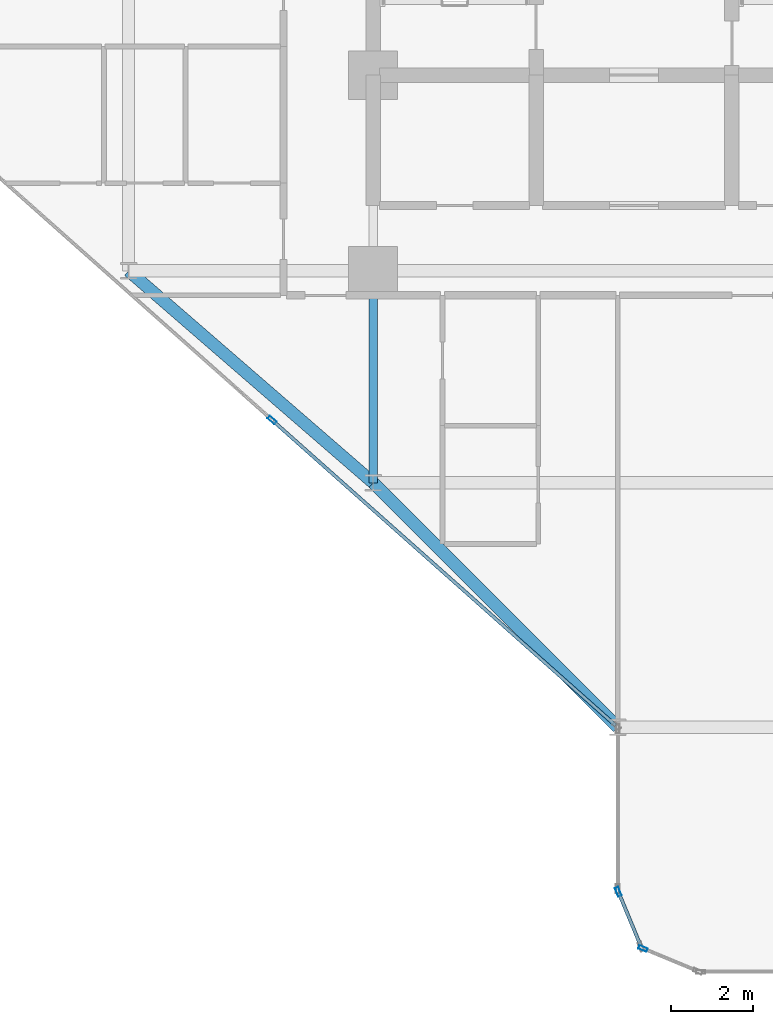
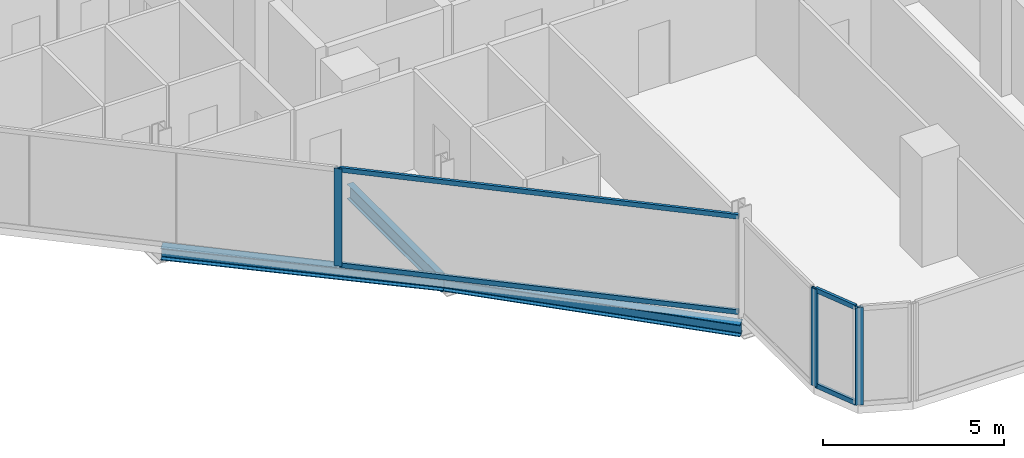
# One storey, part 3 of 33: 7 members, 3 beams, 3 elements without a shape of their own.
"""IFC4 building model written with IfcOpenShell, lengths in metres."""

from ifc_helpers import new_model, si_unit, direction, frame, origin, origin_2d, place, context, subcontext, project, spatial, hollow_rectangle, i_section, extrude, material, layer, layer_set, material_profile, profile_set, type_object, element, aggregate, save


model = new_model("IFC4")

# Units and contexts
model_context = context("Model", 3, precision=1e-05, world=origin(), true_north=direction((0.0, 1.0)))
body_context = subcontext(model_context, "Body", "Model", "MODEL_VIEW")
ifc_project = project(units=[si_unit("LENGTHUNIT", "METRE"), si_unit("AREAUNIT", "SQUARE_METRE"), si_unit("VOLUMEUNIT", "CUBIC_METRE"), si_unit("PLANEANGLEUNIT", "RADIAN"), si_unit("MASSUNIT", "GRAM", prefix="KILO")], contexts=[model_context])

# Site, building, storey
site_placement = place(None, origin())
site = spatial("IfcSite", under=ifc_project, at=site_placement, CompositionType="ELEMENT")
building_placement = place(site_placement, origin())
building = spatial("IfcBuilding", under=site, at=building_placement, Name="Keshet Zoharim Tower", CompositionType="ELEMENT")
storey_placement = place(building_placement, frame((0.0, 0.0, 57.300048828125)))
storey = spatial("IfcBuildingStorey", under=building, at=storey_placement, Name="L13", CompositionType="ELEMENT", Elevation=57.300048828125)

# Beams
ifc_material_1 = material(Name="Steel S355", Category="steel")
ifc_material_profile_1 = material_profile(ifc_material_1, i_section(OverallWidth=0.199951171875, OverallDepth=0.5, WebThickness=0.01025390625, FlangeThickness=0.01611328125, FilletRadius=0.02099609375, at=origin_2d()), Name="IPE500")
ifc_profile_set_1 = profile_set([ifc_material_profile_1], Name="Steel S355")
beam_type_1 = type_object("IfcBeamType", Name="BM-PRI-IP500", PredefinedType="BEAM", material=ifc_profile_set_1)
beam_1_placement = place(storey_placement, frame((15.0, 12.699951171875, -0.56494140625), z_axis=(0.0, 1.0, 0.0), x_axis=(-1.0, 0.0, 0.0)))
element("IfcBeam", 1, at=beam_1_placement, inside=storey, type_object=beam_type_1, Name="L13 Primary Girder Y-002", PredefinedType="BEAM", context=body_context, shape_type="SweptSolid", body=[
    extrude(i_section(OverallWidth=0.199951171875, OverallDepth=0.5, WebThickness=0.01025390625, FlangeThickness=0.01611328125, FilletRadius=0.02099609375, at=origin_2d()), origin(), (0.0, 0.0, 1.0), 5.199951171875),
])
ifc_material_profile_2 = material_profile(ifc_material_1, i_section(OverallWidth=0.300048828125, OverallDepth=0.39990234375, WebThickness=0.013427734375, FlangeThickness=0.02392578125, FilletRadius=0.027099609375, at=origin_2d()), Name="HEB400")
ifc_profile_set_2 = profile_set([ifc_material_profile_2], Name="Steel S355")
beam_type_2 = type_object("IfcBeamType", Name="BM-SPN-HB400", PredefinedType="SPANDREL", material=ifc_profile_set_2)
beam_2_placement = place(storey_placement, frame((21.0, 6.699951171875, -0.51513671875), z_axis=(-0.707106781187, 0.707106781187, 0.0), x_axis=(-0.707106781187, -0.707106781187, 0.0)))
element("IfcBeam", 2, at=beam_2_placement, inside=storey, type_object=beam_type_2, Name="L13 Perimeter Spandrel Beam 01", PredefinedType="SPANDREL", context=body_context, shape_type="SweptSolid", body=[
    extrude(i_section(OverallWidth=0.300048828125, OverallDepth=0.39990234375, WebThickness=0.013427734375, FlangeThickness=0.02392578125, FilletRadius=0.027099609375, at=origin_2d()), origin(), (0.0, 0.0, 1.0), 8.4853515625),
])
beam_3_placement = place(storey_placement, frame((9.0, 17.89990234375, -0.51513671875), z_axis=(0.755692126483, -0.654927026447, 0.0), x_axis=(0.654927026447, 0.755692126483, 0.0)))
element("IfcBeam", 3, at=beam_3_placement, inside=storey, type_object=beam_type_2, Name="L13 Perimeter Spandrel Beam 02", PredefinedType="SPANDREL", context=body_context, shape_type="SweptSolid", body=[
    extrude(i_section(OverallWidth=0.300048828125, OverallDepth=0.39990234375, WebThickness=0.013427734375, FlangeThickness=0.02392578125, FilletRadius=0.027099609375, at=origin_2d()), origin(), (0.0, 0.0, 1.0), 7.939697265625),
])

# Curtain wall, member
ifc_material_2 = material(Name="Aluminium 6063-T6", Category="aluminium")
ifc_layer = layer(ifc_material_2, 0.179931640625)
ifc_layer_set = layer_set([ifc_layer], Name="Aluminium 6063-T6")
curtain_wall_type = type_object("IfcCurtainWallType", Name="CW-SYS-01", PredefinedType="NOTDEFINED", material=ifc_layer_set)
curtain_wall_1_placement = place(storey_placement, origin())
curtain_wall_1 = element("IfcCurtainWall", 4, at=curtain_wall_1_placement, inside=storey, type_object=curtain_wall_type, Name="L13 Unitised Curtain Wall 01", PredefinedType="NOTDEFINED")
ifc_material_profile_3 = material_profile(ifc_material_2, hollow_rectangle(XDim=0.090087890625, YDim=0.219970703125, WallThickness=0.0048828125, at=origin_2d()), Name="MUL-90x220")
ifc_profile_set_3 = profile_set([ifc_material_profile_3], Name="Aluminium 6063-T6")
member_type_1 = type_object("IfcMemberType", Name="CWM-M22", PredefinedType="MULLION", material=ifc_profile_set_3)
member_1_placement = place(storey_placement, frame((12.517578125, 14.239990234375, 0.0), z_axis=(0.0, 0.0, 1.0), x_axis=(-0.664363838836, -0.747409318679, 0.0)))
member_1 = element("IfcMember", 5, at=member_1_placement, type_object=member_type_1, Name="CW-01 mullion 2", PredefinedType="MULLION", context=body_context, shape_type="SweptSolid", body=[
    extrude(hollow_rectangle(XDim=0.090087890625, YDim=0.219970703125, WallThickness=0.0048828125, at=origin_2d()), origin(), (0.0, 0.0, 1.0), 3.280029296875),
])

curtain_wall_2_placement = place(storey_placement, origin())
curtain_wall_2 = element("IfcCurtainWall", 6, at=curtain_wall_2_placement, inside=storey, type_object=curtain_wall_type, Name="L13 Unitised Curtain Wall 27", PredefinedType="NOTDEFINED")
member_2_placement = place(storey_placement, frame((21.618408203125, 1.272705078125, 0.0), z_axis=(0.0, 0.0, 1.0), x_axis=(-0.382851849847, -0.92380975372, 0.0)))
member_2 = element("IfcMember", 7, at=member_2_placement, type_object=member_type_1, Name="CW-01 mullion 2", PredefinedType="MULLION", context=body_context, shape_type="SweptSolid", body=[
    extrude(hollow_rectangle(XDim=0.090087890625, YDim=0.219970703125, WallThickness=0.0048828125, at=origin_2d()), origin(), (0.0, 0.0, 1.0), 3.280029296875),
])
aggregate(curtain_wall_2, [member_2])

curtain_wall_3_placement = place(storey_placement, origin())
curtain_wall_3 = element("IfcCurtainWall", 8, at=curtain_wall_3_placement, inside=storey, type_object=curtain_wall_type, Name="L13 Unitised Curtain Wall 28", PredefinedType="NOTDEFINED")
member_3_placement = place(storey_placement, frame((21.013427734375, 2.667724609375, 0.0), z_axis=(0.0, 0.0, 1.0), x_axis=(-0.92380975372, -0.382851849847, 0.0)))
member_3 = element("IfcMember", 9, at=member_3_placement, type_object=member_type_1, Name="CW-01 mullion 2", PredefinedType="MULLION", context=body_context, shape_type="SweptSolid", body=[
    extrude(hollow_rectangle(XDim=0.090087890625, YDim=0.219970703125, WallThickness=0.0048828125, at=origin_2d()), origin(), (0.0, 0.0, 1.0), 3.280029296875),
])

# Member
ifc_material_profile_4 = material_profile(ifc_material_2, hollow_rectangle(XDim=0.0849609375, YDim=0.159912109375, WallThickness=0.00439453125, at=origin_2d()), Name="TRN-85x160")
ifc_profile_set_4 = profile_set([ifc_material_profile_4], Name="Aluminium 6063-T6")
member_type_2 = type_object("IfcMemberType", Name="CWT-T16", PredefinedType="USERDEFINED", material=ifc_profile_set_4)
member_4_placement = place(storey_placement, frame((20.94775390625, 6.74658203125, 0.034912109375), z_axis=(-0.747411714548, 0.664361143472, 0.0), x_axis=(-0.664361143472, -0.747411714548, 0.0)))
member_4 = element("IfcMember", 10, at=member_4_placement, type_object=member_type_2, Name="CW-01 transom 1.1", ObjectType="TRANSOM", PredefinedType="USERDEFINED", context=body_context, shape_type="SweptSolid", body=[
    extrude(hollow_rectangle(XDim=0.0849609375, YDim=0.159912109375, WallThickness=0.00439453125, at=origin_2d()), origin(), (0.0, 0.0, 1.0), 11.244140625),
])

member_5_placement = place(storey_placement, frame((20.94775390625, 6.74658203125, 3.244873046875), z_axis=(-0.747411714548, 0.664361143472, 0.0), x_axis=(-0.664361143472, -0.747411714548, 0.0)))
member_5 = element("IfcMember", 11, at=member_5_placement, type_object=member_type_2, Name="CW-01 transom 1.2", ObjectType="TRANSOM", PredefinedType="USERDEFINED", context=body_context, shape_type="SweptSolid", body=[
    extrude(hollow_rectangle(XDim=0.0849609375, YDim=0.159912109375, WallThickness=0.00439453125, at=origin_2d()), origin(), (0.0, 0.0, 1.0), 11.244140625),
])

aggregate(curtain_wall_1, [member_1, member_4, member_5])

member_6_placement = place(storey_placement, frame((21.55908203125, 1.3505859375, 0.034912109375), z_axis=(-0.382744609247, 0.923854189844, 0.0), x_axis=(-0.923854189844, -0.382744609247, 0.0)))
member_6 = element("IfcMember", 12, at=member_6_placement, type_object=member_type_2, Name="CW-01 transom 1.1", ObjectType="TRANSOM", PredefinedType="USERDEFINED", context=body_context, shape_type="SweptSolid", body=[
    extrude(hollow_rectangle(XDim=0.0849609375, YDim=0.159912109375, WallThickness=0.00439453125, at=origin_2d()), origin(), (0.0, 0.0, 1.0), 1.390625),
])

member_7_placement = place(storey_placement, frame((21.55908203125, 1.3505859375, 3.244873046875), z_axis=(-0.382744609247, 0.923854189844, 0.0), x_axis=(-0.923854189844, -0.382744609247, 0.0)))
member_7 = element("IfcMember", 13, at=member_7_placement, type_object=member_type_2, Name="CW-01 transom 1.2", ObjectType="TRANSOM", PredefinedType="USERDEFINED", context=body_context, shape_type="SweptSolid", body=[
    extrude(hollow_rectangle(XDim=0.0849609375, YDim=0.159912109375, WallThickness=0.00439453125, at=origin_2d()), origin(), (0.0, 0.0, 1.0), 1.390625),
])

aggregate(curtain_wall_3, [member_3, member_6, member_7])

save(model, "model.ifc")
